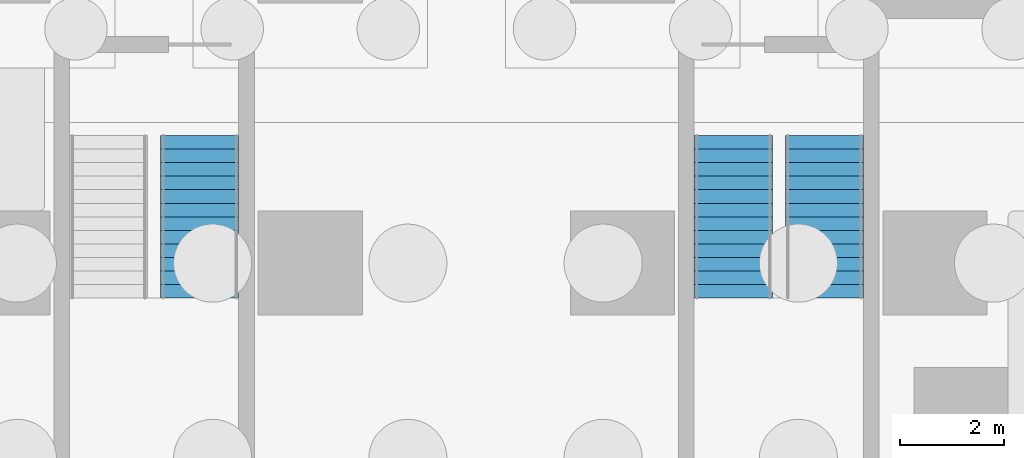
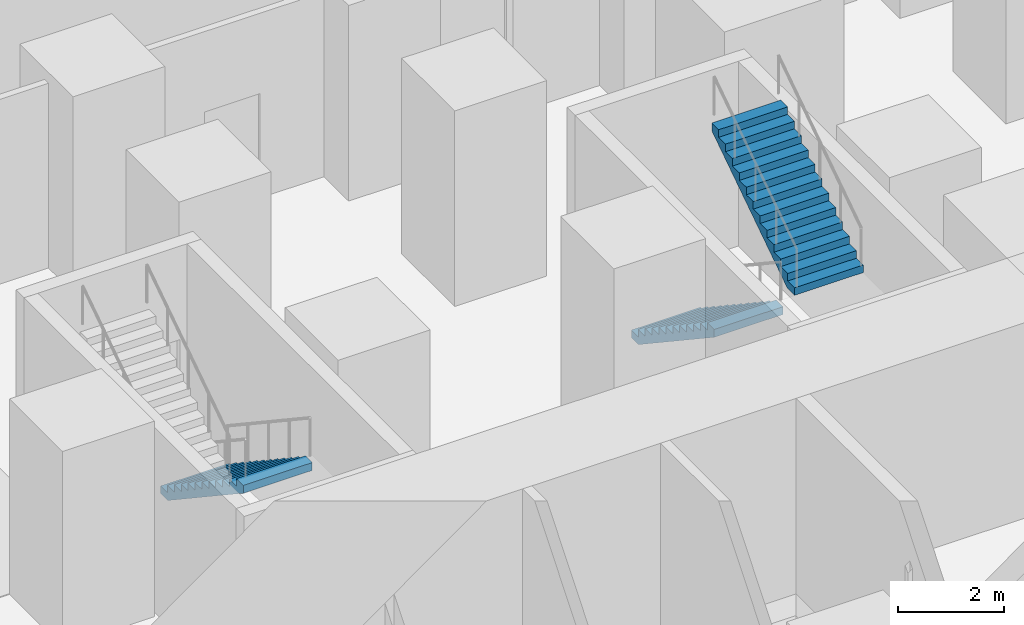
# One storey, part 5 of 11: 3 stair flights, 2 elements without a shape of their own.
"""IFC4 building model written with IfcOpenShell, lengths in metres."""

from ifc_helpers import new_model, si_unit, direction, frame, origin, place, context, subcontext, project, spatial, polyline, outline, extrude, material, type_object, element, aggregate, save


model = new_model("IFC4")

# Units and contexts
model_context = context("Model", 3, precision=1e-05, world=origin(), true_north=direction((0.0, 1.0)))
body_context = subcontext(model_context, "Body", "Model", "MODEL_VIEW")
ifc_project = project(units=[si_unit("LENGTHUNIT", "METRE"), si_unit("AREAUNIT", "SQUARE_METRE"), si_unit("VOLUMEUNIT", "CUBIC_METRE"), si_unit("PLANEANGLEUNIT", "RADIAN"), si_unit("MASSUNIT", "GRAM", prefix="KILO")], contexts=[model_context])

# Site, building, storey
site_placement = place(None, origin())
site = spatial("IfcSite", under=ifc_project, at=site_placement, CompositionType="ELEMENT")
building_placement = place(site_placement, origin())
building = spatial("IfcBuilding", under=site, at=building_placement, Name="Highveld Stack Headquarters", CompositionType="ELEMENT")
storey_placement = place(building_placement, frame((0.0, 0.0, -9.0)))
storey = spatial("IfcBuildingStorey", under=building, at=storey_placement, Name="B2", CompositionType="ELEMENT", Elevation=-9.0)

# Stair, stair flights
ifc_material_1 = material(Name="Concrete C40/50, precast", Category="concrete")
stair_type_1 = type_object("IfcStairType", Name="STAIR PS2 HALF TURN 1500", PredefinedType="HALF_TURN_STAIR", material=ifc_material_1)
stair_1_placement = place(storey_placement, origin())
stair_1 = element("IfcStair", 1, at=stair_1_placement, inside=storey, type_object=stair_type_1, Name="Stair PS2 B2", PredefinedType="HALF_TURN_STAIR")
ifc_material_2 = material(Name="Concrete C40/50, precast", Category="concrete")
stair_flight_type = type_object("IfcStairFlightType", Name="STAIR FLIGHT 1500 PRECAST", PredefinedType="STRAIGHT", material=ifc_material_2)
stair_flight_1_placement = place(storey_placement, frame((14.125, 20.449951171875, 0.0), z_axis=(0.0, 0.0, 1.0), x_axis=(0.0, -1.0, 0.0)))
stair_flight_1 = element("IfcStairFlight", 2, at=stair_flight_1_placement, type_object=stair_flight_type, Name="PS2 flight 1", NumberOfRisers=13, NumberOfTreads=12, PredefinedType="STRAIGHT", RiserHeight=0.173076923, TreadLength=0.26, context=body_context, shape_type="SweptSolid", body=[
    extrude(outline(polyline([(0.0, 0.0), (0.0, 0.173095703125), (0.260009765625, 0.173095703125), (0.260009765625, 0.34619140625), (0.52001953125, 0.34619140625), (0.52001953125, 0.519287109375), (0.780029296875, 0.519287109375), (0.780029296875, 0.6923828125), (1.0400390625, 0.6923828125), (1.0400390625, 0.865478515625), (1.300048828125, 0.865478515625), (1.300048828125, 1.03857421875), (1.56005859375, 1.03857421875), (1.56005859375, 1.21142578125), (1.820068359375, 1.21142578125), (1.820068359375, 1.384521484375), (2.080078125, 1.384521484375), (2.080078125, 1.5576171875), (2.340087890625, 1.5576171875), (2.340087890625, 1.730712890625), (2.60009765625, 1.730712890625), (2.60009765625, 1.90380859375), (2.860107421875, 1.90380859375), (2.860107421875, 2.076904296875), (3.1201171875, 2.076904296875), (3.1201171875, 2.25), (3.1201171875, 1.896728515625), (0.2705078125, 0.0), (0.0, 0.0)])), frame((0.0, 0.75, 0.0), z_axis=(0.0, -1.0, 0.0), x_axis=(1.0, 0.0, 0.0)), (0.0, 0.0, 1.0), 1.5),
])
stair_flight_2_placement = place(storey_placement, frame((15.875, 17.330078125, 2.25), z_axis=(0.0, 0.0, 1.0), x_axis=(0.0, 1.0, 0.0)))
stair_flight_2 = element("IfcStairFlight", 3, at=stair_flight_2_placement, type_object=stair_flight_type, Name="PS2 flight 2", NumberOfRisers=13, NumberOfTreads=12, PredefinedType="STRAIGHT", RiserHeight=0.173076923, TreadLength=0.26, context=body_context, shape_type="SweptSolid", body=[
    extrude(outline(polyline([(0.0, 0.0), (0.0, 0.173095703125), (0.260009765625, 0.173095703125), (0.260009765625, 0.34619140625), (0.52001953125, 0.34619140625), (0.52001953125, 0.519287109375), (0.780029296875, 0.519287109375), (0.780029296875, 0.6923828125), (1.0400390625, 0.6923828125), (1.0400390625, 0.865478515625), (1.300048828125, 0.865478515625), (1.300048828125, 1.03857421875), (1.56005859375, 1.03857421875), (1.56005859375, 1.21142578125), (1.820068359375, 1.21142578125), (1.820068359375, 1.384521484375), (2.080078125, 1.384521484375), (2.080078125, 1.5576171875), (2.340087890625, 1.5576171875), (2.340087890625, 1.730712890625), (2.60009765625, 1.730712890625), (2.60009765625, 1.90380859375), (2.860107421875, 1.90380859375), (2.860107421875, 2.076904296875), (3.1201171875, 2.076904296875), (3.1201171875, 2.25), (3.1201171875, 1.896728515625), (0.2705078125, 0.0), (0.0, 0.0)])), frame((0.0, 0.75, 0.0), z_axis=(0.0, -1.0, 0.0), x_axis=(1.0, 0.0, 0.0)), (0.0, 0.0, 1.0), 1.5),
])
aggregate(stair_1, [stair_flight_1, stair_flight_2])

# Stair, stair flight
ifc_material_3 = material(Name="Concrete C40/50, precast", Category="concrete")
stair_type_2 = type_object("IfcStairType", Name="STAIR PS3 HALF TURN 1500", PredefinedType="HALF_TURN_STAIR", material=ifc_material_3)
stair_2_placement = place(storey_placement, origin())
stair_2 = element("IfcStair", 4, at=stair_2_placement, inside=storey, type_object=stair_type_2, Name="Stair PS3 B2", PredefinedType="HALF_TURN_STAIR")
stair_flight_3_placement = place(storey_placement, frame((3.875, 20.449951171875, 0.0), z_axis=(0.0, 0.0, 1.0), x_axis=(0.0, -1.0, 0.0)))
stair_flight_3 = element("IfcStairFlight", 5, at=stair_flight_3_placement, type_object=stair_flight_type, Name="PS3 flight 1", NumberOfRisers=13, NumberOfTreads=12, PredefinedType="STRAIGHT", RiserHeight=0.173076923, TreadLength=0.26, context=body_context, shape_type="SweptSolid", body=[
    extrude(outline(polyline([(0.0, 0.0), (0.0, 0.173095703125), (0.260009765625, 0.173095703125), (0.260009765625, 0.34619140625), (0.52001953125, 0.34619140625), (0.52001953125, 0.519287109375), (0.780029296875, 0.519287109375), (0.780029296875, 0.6923828125), (1.0400390625, 0.6923828125), (1.0400390625, 0.865478515625), (1.300048828125, 0.865478515625), (1.300048828125, 1.03857421875), (1.56005859375, 1.03857421875), (1.56005859375, 1.21142578125), (1.820068359375, 1.21142578125), (1.820068359375, 1.384521484375), (2.080078125, 1.384521484375), (2.080078125, 1.5576171875), (2.340087890625, 1.5576171875), (2.340087890625, 1.730712890625), (2.60009765625, 1.730712890625), (2.60009765625, 1.90380859375), (2.860107421875, 1.90380859375), (2.860107421875, 2.076904296875), (3.1201171875, 2.076904296875), (3.1201171875, 2.25), (3.1201171875, 1.896728515625), (0.2705078125, 0.0), (0.0, 0.0)])), frame((0.0, 0.75, 0.0), z_axis=(0.0, -1.0, 0.0), x_axis=(1.0, 0.0, 0.0)), (0.0, 0.0, 1.0), 1.5),
])
aggregate(stair_2, [stair_flight_3])

save(model, "model.ifc")
